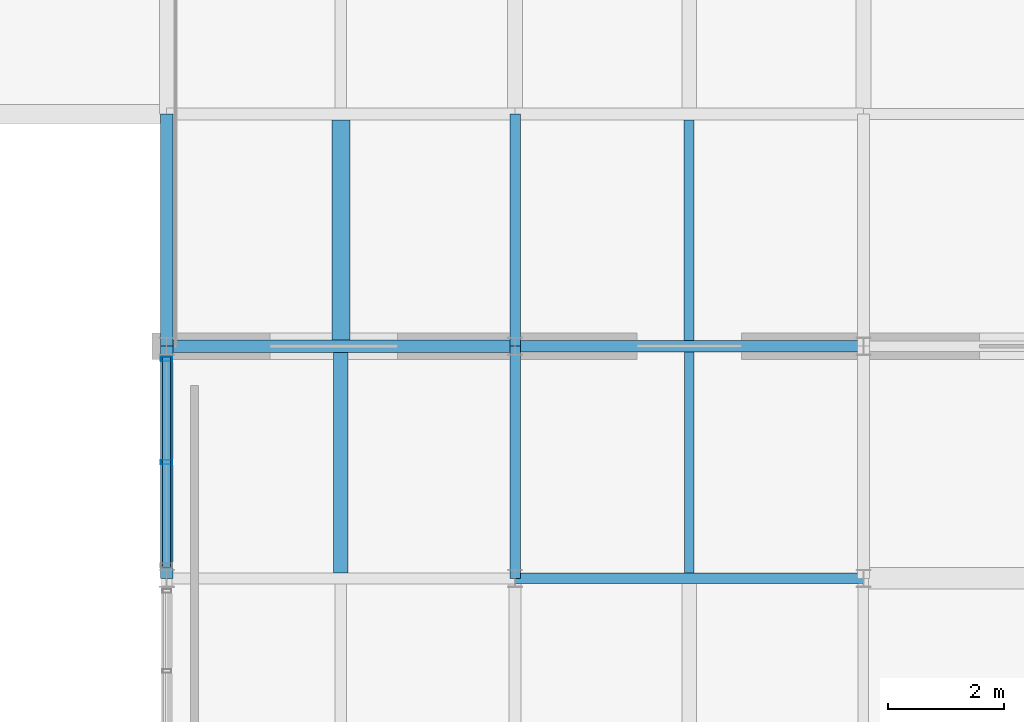
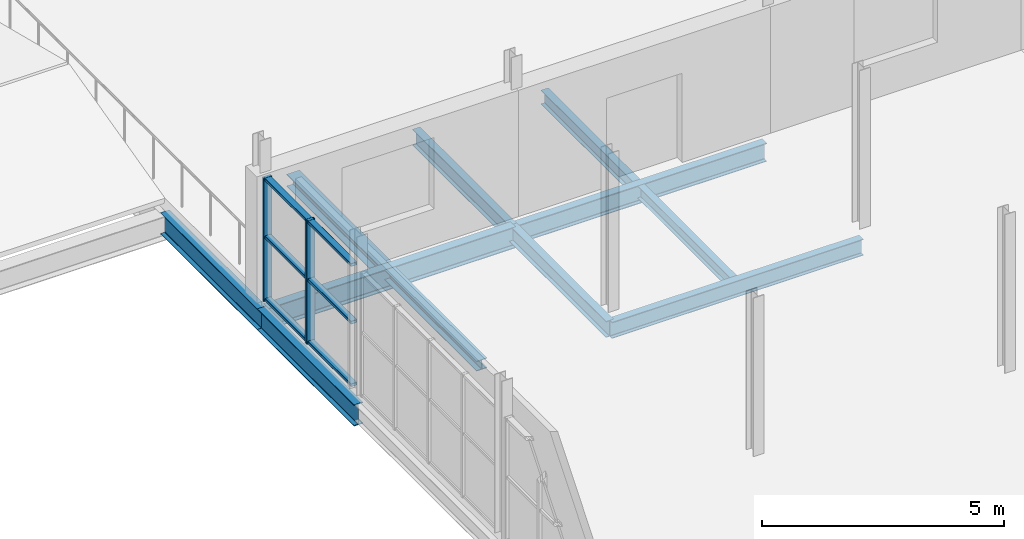
# One storey, part 69 of 96: 11 beams, 5 members, 1 element without a shape of its own.
"""IFC4 building model written with IfcOpenShell, lengths in metres."""

from ifc_helpers import new_model, si_unit, direction, frame, origin, origin_2d, place, context, subcontext, project, spatial, hollow_rectangle, i_section, extrude, material, material_profile, profile_set, type_object, element, aggregate, save


model = new_model("IFC4")

# Units and contexts
model_context = context("Model", 3, precision=1e-05, world=origin(), true_north=direction((0.0, 1.0)))
body_context = subcontext(model_context, "Body", "Model", "MODEL_VIEW")
ifc_project = project(units=[si_unit("LENGTHUNIT", "METRE"), si_unit("AREAUNIT", "SQUARE_METRE"), si_unit("VOLUMEUNIT", "CUBIC_METRE"), si_unit("PLANEANGLEUNIT", "RADIAN"), si_unit("MASSUNIT", "GRAM", prefix="KILO")], contexts=[model_context])

# Site, building, storey
site_placement = place(None, origin())
site = spatial("IfcSite", under=ifc_project, at=site_placement, CompositionType="ELEMENT")
building_placement = place(site_placement, origin())
building = spatial("IfcBuilding", under=site, at=building_placement, Name="Verrall Gate Interchange", CompositionType="ELEMENT")
storey_placement = place(building_placement, frame((0.0, 0.0, 11.39990234375)))
storey = spatial("IfcBuildingStorey", under=building, at=storey_placement, Name="L03", CompositionType="ELEMENT", Elevation=11.39990234375)

# Beams
ifc_material_1 = material(Name="Structural Steel CSA G40.21 350W", Category="steel")
ifc_material_profile_1 = material_profile(ifc_material_1, i_section(OverallWidth=0.2109375, OverallDepth=0.5390625, WebThickness=0.01171875, FlangeThickness=0.018798828125, FilletRadius=0.013916015625, at=origin_2d()), Name="W530x109")
ifc_profile_set_1 = profile_set([ifc_material_profile_1], Name="Structural Steel CSA G40.21 350W")
beam_type_1 = type_object("IfcBeamType", Name="B-10 Structural Beam W530x109", PredefinedType="BEAM", material=ifc_profile_set_1)
beam_1_placement = place(storey_placement, frame((132.0, 44.0, -0.599365234375), z_axis=(1.0, 0.0, 0.0), x_axis=(0.0, 1.0, 0.0)))
element("IfcBeam", 1, at=beam_1_placement, inside=storey, type_object=beam_type_1, Name="L03 Girder BM-L03-2097 (B-10)", PredefinedType="BEAM", context=body_context, shape_type="SweptSolid", body=[
    extrude(i_section(OverallWidth=0.2109375, OverallDepth=0.5390625, WebThickness=0.01171875, FlangeThickness=0.018798828125, FilletRadius=0.013916015625, at=origin_2d()), origin(), (0.0, 0.0, 1.0), 6.0),
])
for number, where, z_axis, x_axis, name in (
    (2, (132.0, 40.0, -0.599365234375), (0.0, 1.0, 0.0), (-1.0, 0.0, 0.0), "L03 Girder BM-L03-2328 (B-10)"),
    (3, (132.0, 44.0, -0.599365234375), (0.0, 1.0, 0.0), (-1.0, 0.0, 0.0), "L03 Girder BM-L03-2329 (B-10)"),
):
    element("IfcBeam", number, at=place(storey_placement, frame(where, z_axis=z_axis, x_axis=x_axis)), inside=storey, type_object=beam_type_1, Name=name, PredefinedType="BEAM", context=body_context, shape_type="SweptSolid", body=[
        extrude(i_section(OverallWidth=0.2109375, OverallDepth=0.5390625, WebThickness=0.01171875, FlangeThickness=0.018798828125, FilletRadius=0.013916015625, at=origin_2d()), origin(), (0.0, 0.0, 1.0), 4.0),
    ])
ifc_material_2 = material(Name="Structural Steel CSA G40.21 350W", Category="steel")
ifc_material_profile_2 = material_profile(ifc_material_2, i_section(OverallWidth=0.19189453125, OverallDepth=0.462890625, WebThickness=0.010498046875, FlangeThickness=0.017578125, FilletRadius=0.012939453125, at=origin_2d()), Name="W460x89")
ifc_profile_set_2 = profile_set([ifc_material_profile_2], Name="Structural Steel CSA G40.21 350W")
beam_type_2 = type_object("IfcBeamType", Name="B-11 Structural Beam W460x89", PredefinedType="BEAM", material=ifc_profile_set_2)
beam_2_placement = place(storey_placement, frame((138.0, 44.0, -0.5615234375), z_axis=(1.0, 0.0, 0.0), x_axis=(0.0, 1.0, 0.0)))
element("IfcBeam", 4, at=beam_2_placement, inside=storey, type_object=beam_type_2, Name="L03 Girder BM-L03-2098 (B-11)", PredefinedType="BEAM", context=body_context, shape_type="SweptSolid", body=[
    extrude(i_section(OverallWidth=0.19189453125, OverallDepth=0.462890625, WebThickness=0.010498046875, FlangeThickness=0.017578125, FilletRadius=0.012939453125, at=origin_2d()), origin(), (0.0, 0.0, 1.0), 6.0),
])
ifc_material_3 = material(Name="Structural Steel CSA G40.21 350W", Category="steel")
ifc_material_profile_3 = material_profile(ifc_material_3, i_section(OverallWidth=0.178955078125, OverallDepth=0.409912109375, WebThickness=0.0087890625, FlangeThickness=0.014404296875, FilletRadius=0.011962890625, at=origin_2d()), Name="W410x67")
ifc_profile_set_3 = profile_set([ifc_material_profile_3], Name="Structural Steel CSA G40.21 350W")
beam_type_3 = type_object("IfcBeamType", Name="B-12 Structural Beam W410x67", PredefinedType="BEAM", material=ifc_profile_set_3)
beam_3_placement = place(storey_placement, frame((138.0, 40.0, -0.534912109375), z_axis=(1.0, 0.0, 0.0), x_axis=(0.0, 1.0, 0.0)))
element("IfcBeam", 5, at=beam_3_placement, inside=storey, type_object=beam_type_3, Name="L03 Girder BM-L03-2081 (B-12)", PredefinedType="BEAM", context=body_context, shape_type="SweptSolid", body=[
    extrude(i_section(OverallWidth=0.178955078125, OverallDepth=0.409912109375, WebThickness=0.0087890625, FlangeThickness=0.014404296875, FilletRadius=0.011962890625, at=origin_2d()), origin(), (0.0, 0.0, 1.0), 6.0),
])
for number, where, z_axis, x_axis, name in (
    (6, (138.0, 40.0, -0.534912109375), (0.0, 1.0, 0.0), (-1.0, 0.0, 0.0), "L03 Girder BM-L03-2336 (B-12)"),
    (7, (138.0, 44.0, -0.534912109375), (0.0, 1.0, 0.0), (-1.0, 0.0, 0.0), "L03 Girder BM-L03-2337 (B-12)"),
):
    element("IfcBeam", number, at=place(storey_placement, frame(where, z_axis=z_axis, x_axis=x_axis)), inside=storey, type_object=beam_type_3, Name=name, PredefinedType="BEAM", context=body_context, shape_type="SweptSolid", body=[
        extrude(i_section(OverallWidth=0.178955078125, OverallDepth=0.409912109375, WebThickness=0.0087890625, FlangeThickness=0.014404296875, FilletRadius=0.011962890625, at=origin_2d()), origin(), (0.0, 0.0, 1.0), 4.0),
    ])

# Curtain wall, members
ifc_material_4 = material(Name="Thermally Broken Anodized Aluminium Curtain Wall Framing", Category="aluminium")
curtain_wall_type = type_object("IfcCurtainWallType", Name="CW-17 Unitized Curtain Wall 3631x3100", PredefinedType="NOTDEFINED", material=ifc_material_4)
curtain_wall_placement = place(storey_placement, origin())
curtain_wall = element("IfcCurtainWall", 8, at=curtain_wall_placement, inside=storey, type_object=curtain_wall_type, Name="L03 Unitized Curtain Wall CW-L03-121", PredefinedType="NOTDEFINED")
ifc_material_5 = material(Name="Thermally Broken Anodized Aluminium Curtain Wall Framing", Category="aluminium")
ifc_material_profile_4 = material_profile(ifc_material_5, hollow_rectangle(XDim=0.074951171875, YDim=0.199951171875, WallThickness=0.0048828125, InnerFilletRadius=0.0048828125, OuterFilletRadius=0.010009765625, at=origin_2d()), Name="CWM200x75x5")
ifc_profile_set_4 = profile_set([ifc_material_profile_4], Name="Thermally Broken Anodized Aluminium Curtain Wall Framing")
member_type_1 = type_object("IfcMemberType", Name="CM-02 Curtain Mullion CWM200x75x5", PredefinedType="MULLION", material=ifc_profile_set_4)
member_1_placement = place(storey_placement, frame((132.0, 43.777587890625, 0.0), z_axis=(0.0, 0.0, 1.0), x_axis=(0.0, -1.0, 0.0)))
member_1 = element("IfcMember", 9, at=member_1_placement, type_object=member_type_1, Name="CW-L03-121 Mullion 1", PredefinedType="MULLION", context=body_context, shape_type="SweptSolid", body=[
    extrude(hollow_rectangle(XDim=0.074951171875, YDim=0.199951171875, WallThickness=0.0048828125, InnerFilletRadius=0.0048828125, OuterFilletRadius=0.010009765625, at=origin_2d()), origin(), (0.0, 0.0, 1.0), 3.110107421875),
])
member_2_placement = place(storey_placement, frame((132.0, 42.0, 0.0), z_axis=(0.0, 0.0, 1.0), x_axis=(0.0, -1.0, 0.0)))
member_2 = element("IfcMember", 10, at=member_2_placement, type_object=member_type_1, Name="CW-L03-121 Mullion 2", PredefinedType="MULLION", context=body_context, shape_type="SweptSolid", body=[
    extrude(hollow_rectangle(XDim=0.074951171875, YDim=0.199951171875, WallThickness=0.0048828125, InnerFilletRadius=0.0048828125, OuterFilletRadius=0.010009765625, at=origin_2d()), origin(), (0.0, 0.0, 1.0), 3.110107421875),
])
ifc_material_6 = material(Name="Thermally Broken Anodized Aluminium Curtain Wall Framing", Category="aluminium")
ifc_material_profile_5 = material_profile(ifc_material_6, hollow_rectangle(XDim=0.14990234375, YDim=0.074951171875, WallThickness=0.00439453125, InnerFilletRadius=0.00439453125, OuterFilletRadius=0.009033203125, at=origin_2d()), Name="CWT150x75x4.5")
ifc_profile_set_5 = profile_set([ifc_material_profile_5], Name="Thermally Broken Anodized Aluminium Curtain Wall Framing")
member_type_2 = type_object("IfcMemberType", Name="CT-02 Curtain Transom CWT150x75x4.5", PredefinedType="USERDEFINED", material=ifc_profile_set_5)
member_3_placement = place(storey_placement, frame((132.0, 43.81494140625, 0.03759765625), z_axis=(0.0, -1.0, 0.0), x_axis=(1.0, 0.0, 0.0)))
member_3 = element("IfcMember", 11, at=member_3_placement, type_object=member_type_2, Name="CW-L03-121 Transom 1", ObjectType="TRANSOM", PredefinedType="USERDEFINED", context=body_context, shape_type="SweptSolid", body=[
    extrude(hollow_rectangle(XDim=0.14990234375, YDim=0.074951171875, WallThickness=0.00439453125, InnerFilletRadius=0.00439453125, OuterFilletRadius=0.009033203125, at=origin_2d()), origin(), (0.0, 0.0, 1.0), 3.6298828125),
])
member_4_placement = place(storey_placement, frame((132.0, 43.81494140625, 1.6171875), z_axis=(0.0, -1.0, 0.0), x_axis=(1.0, 0.0, 0.0)))
member_4 = element("IfcMember", 12, at=member_4_placement, type_object=member_type_2, Name="CW-L03-121 Transom 2", ObjectType="TRANSOM", PredefinedType="USERDEFINED", context=body_context, shape_type="SweptSolid", body=[
    extrude(hollow_rectangle(XDim=0.14990234375, YDim=0.074951171875, WallThickness=0.00439453125, InnerFilletRadius=0.00439453125, OuterFilletRadius=0.009033203125, at=origin_2d()), origin(), (0.0, 0.0, 1.0), 3.6298828125),
])
member_5_placement = place(storey_placement, frame((132.0, 43.81494140625, 3.072509765625), z_axis=(0.0, -1.0, 0.0), x_axis=(1.0, 0.0, 0.0)))
member_5 = element("IfcMember", 13, at=member_5_placement, type_object=member_type_2, Name="CW-L03-121 Transom 3", ObjectType="TRANSOM", PredefinedType="USERDEFINED", context=body_context, shape_type="SweptSolid", body=[
    extrude(hollow_rectangle(XDim=0.14990234375, YDim=0.074951171875, WallThickness=0.00439453125, InnerFilletRadius=0.00439453125, OuterFilletRadius=0.009033203125, at=origin_2d()), origin(), (0.0, 0.0, 1.0), 3.6298828125),
])
aggregate(curtain_wall, [member_1, member_2, member_3, member_4, member_5])

# Beams
ifc_material_7 = material(Name="Structural Steel CSA G40.21 350W", Category="steel")
ifc_material_profile_6 = material_profile(ifc_material_7, i_section(OverallWidth=0.172119140625, OverallDepth=0.35791015625, WebThickness=0.0078125, FlangeThickness=0.01318359375, FilletRadius=0.010986328125, at=origin_2d()), Name="W360x57")
ifc_profile_set_6 = profile_set([ifc_material_profile_6], Name="Structural Steel CSA G40.21 350W")
beam_type_4 = type_object("IfcBeamType", Name="J-01 Floor Joist W360x57", PredefinedType="JOIST", material=ifc_profile_set_6)
beam_4_placement = place(storey_placement, frame((141.0, 44.095947265625, -0.5087890625), z_axis=(0.0, 1.0, 0.0), x_axis=(-1.0, 0.0, 0.0)))
element("IfcBeam", 14, at=beam_4_placement, inside=storey, type_object=beam_type_4, Name="L03 Secondary Floor Joist JST-L03-2475", PredefinedType="JOIST", context=body_context, shape_type="SweptSolid", body=[
    extrude(i_section(OverallWidth=0.172119140625, OverallDepth=0.35791015625, WebThickness=0.0078125, FlangeThickness=0.01318359375, FilletRadius=0.010986328125, at=origin_2d()), origin(), (0.0, 0.0, 1.0), 3.798583984375),
])
ifc_material_8 = material(Name="Structural Steel CSA G40.21 350W", Category="steel")
ifc_material_profile_7 = material_profile(ifc_material_8, i_section(OverallWidth=0.306884765625, OverallDepth=0.31396484375, WebThickness=0.011962890625, FlangeThickness=0.018798828125, FilletRadius=0.013916015625, at=origin_2d()), Name="W310x118")
ifc_profile_set_7 = profile_set([ifc_material_profile_7], Name="Structural Steel CSA G40.21 350W")
beam_type_5 = type_object("IfcBeamType", Name="J-02 Floor Joist W310x118", PredefinedType="JOIST", material=ifc_profile_set_7)
beam_5_placement = place(storey_placement, frame((135.0, 44.10546875, -0.48681640625), z_axis=(0.0, 1.0, 0.0), x_axis=(-1.0, 0.0, 0.0)))
element("IfcBeam", 15, at=beam_5_placement, inside=storey, type_object=beam_type_5, Name="L03 Secondary Floor Joist JST-L03-2474", PredefinedType="JOIST", context=body_context, shape_type="SweptSolid", body=[
    extrude(i_section(OverallWidth=0.306884765625, OverallDepth=0.31396484375, WebThickness=0.011962890625, FlangeThickness=0.018798828125, FilletRadius=0.013916015625, at=origin_2d()), origin(), (0.0, 0.0, 1.0), 3.7919921875),
])
ifc_material_9 = material(Name="Structural Steel CSA G40.21 350W", Category="steel")
ifc_material_profile_8 = material_profile(ifc_material_9, i_section(OverallWidth=0.1650390625, OverallDepth=0.31005859375, WebThickness=0.005859375, FlangeThickness=0.009765625, FilletRadius=0.010009765625, at=origin_2d()), Name="W310x39")
ifc_profile_set_8 = profile_set([ifc_material_profile_8], Name="Structural Steel CSA G40.21 350W")
beam_type_6 = type_object("IfcBeamType", Name="J-04 Floor Joist W310x39", PredefinedType="JOIST", material=ifc_profile_set_8)
beam_6_placement = place(storey_placement, frame((141.0, 40.089599609375, -0.48486328125), z_axis=(0.0, 1.0, 0.0), x_axis=(-1.0, 0.0, 0.0)))
element("IfcBeam", 16, at=beam_6_placement, inside=storey, type_object=beam_type_6, Name="L03 Secondary Floor Joist JST-L03-2459", PredefinedType="JOIST", context=body_context, shape_type="SweptSolid", body=[
    extrude(i_section(OverallWidth=0.1650390625, OverallDepth=0.31005859375, WebThickness=0.005859375, FlangeThickness=0.009765625, FilletRadius=0.010009765625, at=origin_2d()), origin(), (0.0, 0.0, 1.0), 3.814453125),
])
ifc_material_10 = material(Name="Structural Steel CSA G40.21 350W", Category="steel")
ifc_material_profile_9 = material_profile(ifc_material_10, i_section(OverallWidth=0.25390625, OverallDepth=0.2529296875, WebThickness=0.008544921875, FlangeThickness=0.01416015625, FilletRadius=0.011962890625, at=origin_2d()), Name="W250x73")
ifc_profile_set_9 = profile_set([ifc_material_profile_9], Name="Structural Steel CSA G40.21 350W")
beam_type_7 = type_object("IfcBeamType", Name="J-05 Floor Joist W250x73", PredefinedType="JOIST", material=ifc_profile_set_9)
beam_7_placement = place(storey_placement, frame((135.0, 40.095947265625, -0.456298828125), z_axis=(0.0, 1.0, 0.0), x_axis=(-1.0, 0.0, 0.0)))
element("IfcBeam", 17, at=beam_7_placement, inside=storey, type_object=beam_type_7, Name="L03 Secondary Floor Joist JST-L03-2458", PredefinedType="JOIST", context=body_context, shape_type="SweptSolid", body=[
    extrude(i_section(OverallWidth=0.25390625, OverallDepth=0.2529296875, WebThickness=0.008544921875, FlangeThickness=0.01416015625, FilletRadius=0.011962890625, at=origin_2d()), origin(), (0.0, 0.0, 1.0), 3.798583984375),
])

save(model, "model.ifc")
